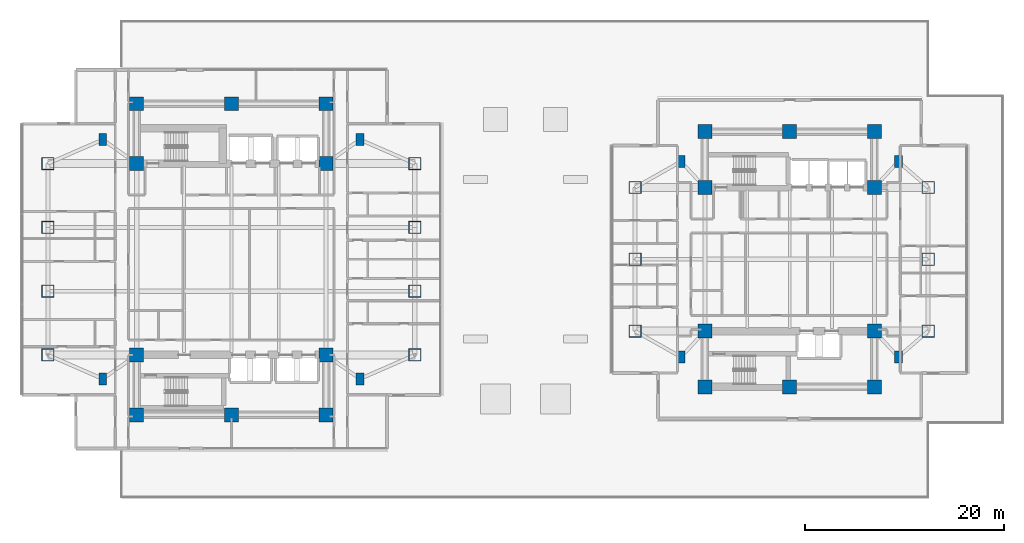
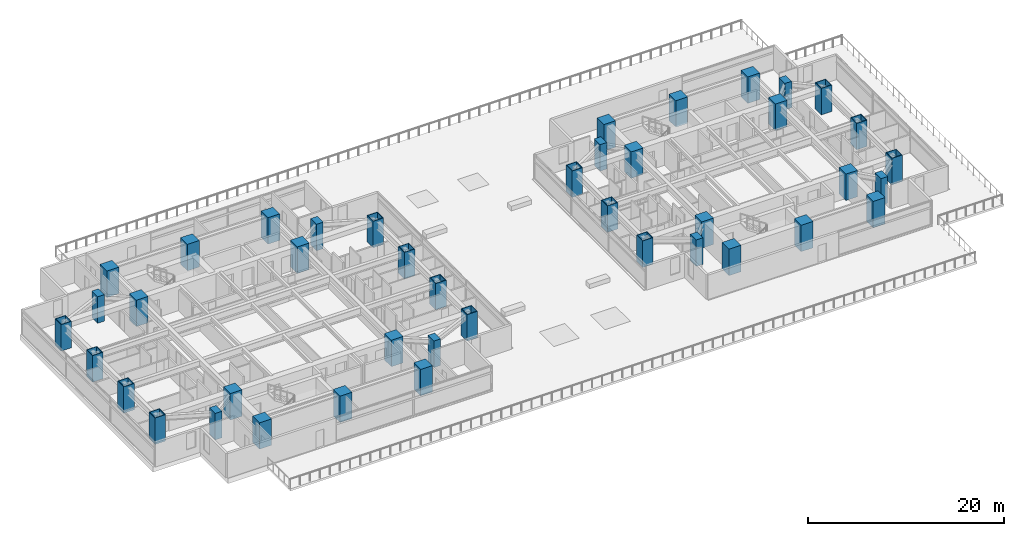
# One storey, part 1 of 26: 42 columns.
"""IFC4 building model written with IfcOpenShell, lengths in metres."""

from ifc_helpers import new_model, si_unit, direction, frame, origin, origin_2d, place, context, subcontext, project, spatial, rectangle, hollow_rectangle, extrude, material, material_profile, profile_set, type_object, element, save


model = new_model("IFC4")

# Units and contexts
model_context = context("Model", 3, precision=1e-05, world=origin(), true_north=direction((0.0, 1.0)))
body_context = subcontext(model_context, "Body", "Model", "MODEL_VIEW")
ifc_project = project(units=[si_unit("LENGTHUNIT", "METRE"), si_unit("AREAUNIT", "SQUARE_METRE"), si_unit("VOLUMEUNIT", "CUBIC_METRE"), si_unit("PLANEANGLEUNIT", "RADIAN"), si_unit("MASSUNIT", "GRAM", prefix="KILO")], contexts=[model_context])

# Site, building, storey
site_placement = place(None, origin())
site = spatial("IfcSite", under=ifc_project, at=site_placement, CompositionType="ELEMENT")
building_placement = place(site_placement, origin())
building = spatial("IfcBuilding", under=site, at=building_placement, Name="Mirazonda Arch Towers", CompositionType="ELEMENT")
storey_placement = place(building_placement, frame((0.0, 0.0, 22.39990234375)))
storey = spatial("IfcBuildingStorey", under=building, at=storey_placement, Name="L05", CompositionType="ELEMENT", Elevation=22.39990234375)

# Columns
ifc_material_1 = material(Name="Concrete C60/75", Category="concrete")
ifc_material_profile_1 = material_profile(ifc_material_1, rectangle(XDim=1.39990234375, YDim=1.39990234375, at=origin_2d()), Name="RC1400x1400")
ifc_profile_set_1 = profile_set([ifc_material_profile_1], Name="Concrete C60/75")
column_type_1 = type_object("IfcColumnType", Name="COL-INT-RC1400x1400", PredefinedType="COLUMN", material=ifc_profile_set_1)
for number, where, z_axis, x_axis, name in (
    (1, (11.0, 12.39990234375, 0.0), (0.0, 0.0, 1.0), (1.0, 0.0, 0.0), "L05 T1 Core Column 01"),
    (2, (20.5, 12.39990234375, 0.0), (0.0, 0.0, 1.0), (1.0, 0.0, 0.0), "L05 T1 Core Column 02"),
    (3, (30.0, 12.39990234375, 0.0), (0.0, 0.0, 1.0), (1.0, 0.0, 0.0), "L05 T1 Core Column 03"),
    (4, (11.0, 18.39990234375, 0.0), (0.0, 0.0, 1.0), (1.0, 0.0, 0.0), "L05 T1 Core Column 04"),
    (5, (30.0, 18.39990234375, 0.0), (0.0, 0.0, 1.0), (1.0, 0.0, 0.0), "L05 T1 Core Column 05"),
    (6, (11.0, 37.60009765625, 0.0), (0.0, 0.0, 1.0), (1.0, 0.0, 0.0), "L05 T1 Core Column 06"),
    (7, (30.0, 37.60009765625, 0.0), (0.0, 0.0, 1.0), (1.0, 0.0, 0.0), "L05 T1 Core Column 07"),
    (8, (11.0, 43.60009765625, 0.0), (0.0, 0.0, 1.0), (1.0, 0.0, 0.0), "L05 T1 Core Column 08"),
    (9, (20.5, 43.60009765625, 0.0), (0.0, 0.0, 1.0), (1.0, 0.0, 0.0), "L05 T1 Core Column 09"),
    (10, (30.0, 43.60009765625, 0.0), (0.0, 0.0, 1.0), (1.0, 0.0, 0.0), "L05 T1 Core Column 10"),
    (11, (68.0, 15.199951171875, 0.0), (0.0, 0.0, 1.0), (1.0, 0.0, 0.0), "L05 T2 Core Column 01"),
    (12, (76.5, 15.199951171875, 0.0), (0.0, 0.0, 1.0), (1.0, 0.0, 0.0), "L05 T2 Core Column 02"),
    (13, (85.0, 15.199951171875, 0.0), (0.0, 0.0, 1.0), (1.0, 0.0, 0.0), "L05 T2 Core Column 03"),
    (14, (68.0, 20.800048828125, 0.0), (0.0, 0.0, 1.0), (1.0, 0.0, 0.0), "L05 T2 Core Column 04"),
    (15, (85.0, 20.800048828125, 0.0), (0.0, 0.0, 1.0), (1.0, 0.0, 0.0), "L05 T2 Core Column 05"),
    (16, (68.0, 35.199951171875, 0.0), (0.0, 0.0, 1.0), (1.0, 0.0, 0.0), "L05 T2 Core Column 06"),
    (17, (85.0, 35.199951171875, 0.0), (0.0, 0.0, 1.0), (1.0, 0.0, 0.0), "L05 T2 Core Column 07"),
    (18, (68.0, 40.800048828125, 0.0), (0.0, 0.0, 1.0), (1.0, 0.0, 0.0), "L05 T2 Core Column 08"),
    (19, (76.5, 40.800048828125, 0.0), (0.0, 0.0, 1.0), (1.0, 0.0, 0.0), "L05 T2 Core Column 09"),
    (20, (85.0, 40.800048828125, 0.0), (0.0, 0.0, 1.0), (1.0, 0.0, 0.0), "L05 T2 Core Column 10"),
):
    element("IfcColumn", number, at=place(storey_placement, frame(where, z_axis=z_axis, x_axis=x_axis)), inside=storey, type_object=column_type_1, Name=name, PredefinedType="COLUMN", context=body_context, shape_type="SweptSolid", body=[
        extrude(rectangle(XDim=1.39990234375, YDim=1.39990234375, at=origin_2d()), origin(), (0.0, 0.0, 1.0), 3.300048828125),
    ])
ifc_material_2 = material(Name="Steel ASTM A572 Grade 50", Category="steel")
ifc_material_profile_2 = material_profile(ifc_material_2, hollow_rectangle(XDim=1.25, YDim=1.25, WallThickness=0.070068359375, at=origin_2d()), Name="BOX1250x1250x70")
ifc_profile_set_2 = profile_set([ifc_material_profile_2], Name="Steel ASTM A572 Grade 50")
column_type_2 = type_object("IfcColumnType", Name="MCOL-EXT-BOX1250x1250x70", PredefinedType="COLUMN", material=ifc_profile_set_2)
for number, where, z_axis, x_axis, name in (
    (21, (2.10009765625, 18.39990234375, 0.0), (0.0, 0.0, 1.0), (1.0, 0.0, 0.0), "L05 T1 Composite Mega-Column 01"),
    (22, (2.10009765625, 24.800048828125, 0.0), (0.0, 0.0, 1.0), (1.0, 0.0, 0.0), "L05 T1 Composite Mega-Column 02"),
    (23, (2.10009765625, 31.199951171875, 0.0), (0.0, 0.0, 1.0), (1.0, 0.0, 0.0), "L05 T1 Composite Mega-Column 03"),
    (24, (2.10009765625, 37.60009765625, 0.0), (0.0, 0.0, 1.0), (1.0, 0.0, 0.0), "L05 T1 Composite Mega-Column 04"),
    (25, (38.89990234375, 18.39990234375, 0.0), (0.0, 0.0, 1.0), (1.0, 0.0, 0.0), "L05 T1 Composite Mega-Column 05"),
    (26, (38.89990234375, 24.800048828125, 0.0), (0.0, 0.0, 1.0), (1.0, 0.0, 0.0), "L05 T1 Composite Mega-Column 06"),
    (27, (38.89990234375, 31.199951171875, 0.0), (0.0, 0.0, 1.0), (1.0, 0.0, 0.0), "L05 T1 Composite Mega-Column 07"),
    (28, (38.89990234375, 37.60009765625, 0.0), (0.0, 0.0, 1.0), (1.0, 0.0, 0.0), "L05 T1 Composite Mega-Column 08"),
    (29, (61.0, 20.800048828125, 0.0), (0.0, 0.0, 1.0), (1.0, 0.0, 0.0), "L05 T2 Composite Mega-Column 01"),
    (30, (61.0, 28.0, 0.0), (0.0, 0.0, 1.0), (1.0, 0.0, 0.0), "L05 T2 Composite Mega-Column 02"),
    (31, (61.0, 35.199951171875, 0.0), (0.0, 0.0, 1.0), (1.0, 0.0, 0.0), "L05 T2 Composite Mega-Column 03"),
    (32, (90.39990234375, 20.800048828125, 0.0), (0.0, 0.0, 1.0), (1.0, 0.0, 0.0), "L05 T2 Composite Mega-Column 04"),
    (33, (90.39990234375, 28.0, 0.0), (0.0, 0.0, 1.0), (1.0, 0.0, 0.0), "L05 T2 Composite Mega-Column 05"),
    (34, (90.39990234375, 35.199951171875, 0.0), (0.0, 0.0, 1.0), (1.0, 0.0, 0.0), "L05 T2 Composite Mega-Column 06"),
):
    element("IfcColumn", number, at=place(storey_placement, frame(where, z_axis=z_axis, x_axis=x_axis)), inside=storey, type_object=column_type_2, Name=name, PredefinedType="COLUMN", context=body_context, shape_type="SweptSolid", body=[
        extrude(hollow_rectangle(XDim=1.25, YDim=1.25, WallThickness=0.070068359375, at=origin_2d()), origin(), (0.0, 0.0, 1.0), 3.300048828125),
    ])
ifc_material_profile_3 = material_profile(ifc_material_1, rectangle(XDim=0.800048828125, YDim=1.199951171875, at=origin_2d()), Name="RC1200x800")
ifc_profile_set_3 = profile_set([ifc_material_profile_3], Name="Concrete C60/75")
column_type_3 = type_object("IfcColumnType", Name="PIL-EXT-RC1200x800", PredefinedType="PILASTER", material=ifc_profile_set_3)
for number, where, z_axis, x_axis, name in (
    (35, (7.60009765625, 16.0, 0.0), (0.0, 0.0, 1.0), (1.0, 0.0, 0.0), "L05 T1 Corner Pilaster 01"),
    (36, (33.39990234375, 16.0, 0.0), (0.0, 0.0, 1.0), (1.0, 0.0, 0.0), "L05 T1 Corner Pilaster 02"),
    (37, (7.60009765625, 40.0, 0.0), (0.0, 0.0, 1.0), (1.0, 0.0, 0.0), "L05 T1 Corner Pilaster 03"),
    (38, (33.39990234375, 40.0, 0.0), (0.0, 0.0, 1.0), (1.0, 0.0, 0.0), "L05 T1 Corner Pilaster 04"),
    (39, (65.60009765625, 18.199951171875, 0.0), (0.0, 0.0, 1.0), (1.0, 0.0, 0.0), "L05 T2 Corner Pilaster 01"),
    (40, (87.39990234375, 18.199951171875, 0.0), (0.0, 0.0, 1.0), (1.0, 0.0, 0.0), "L05 T2 Corner Pilaster 02"),
    (41, (65.60009765625, 37.800048828125, 0.0), (0.0, 0.0, 1.0), (1.0, 0.0, 0.0), "L05 T2 Corner Pilaster 03"),
    (42, (87.39990234375, 37.800048828125, 0.0), (0.0, 0.0, 1.0), (1.0, 0.0, 0.0), "L05 T2 Corner Pilaster 04"),
):
    element("IfcColumn", number, at=place(storey_placement, frame(where, z_axis=z_axis, x_axis=x_axis)), inside=storey, type_object=column_type_3, Name=name, PredefinedType="PILASTER", context=body_context, shape_type="SweptSolid", body=[
        extrude(rectangle(XDim=0.800048828125, YDim=1.199951171875, at=origin_2d()), origin(), (0.0, 0.0, 1.0), 3.300048828125),
    ])

save(model, "model.ifc")
